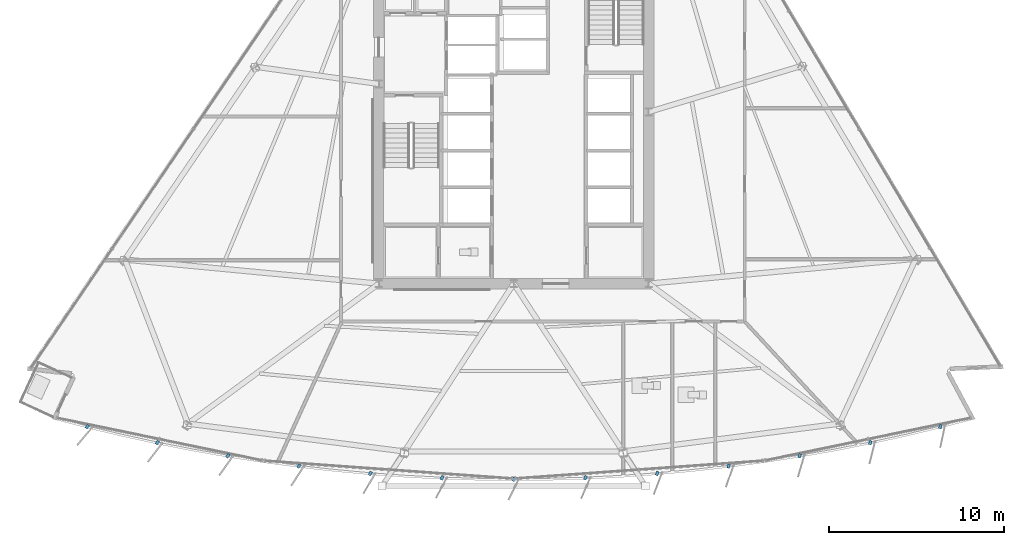
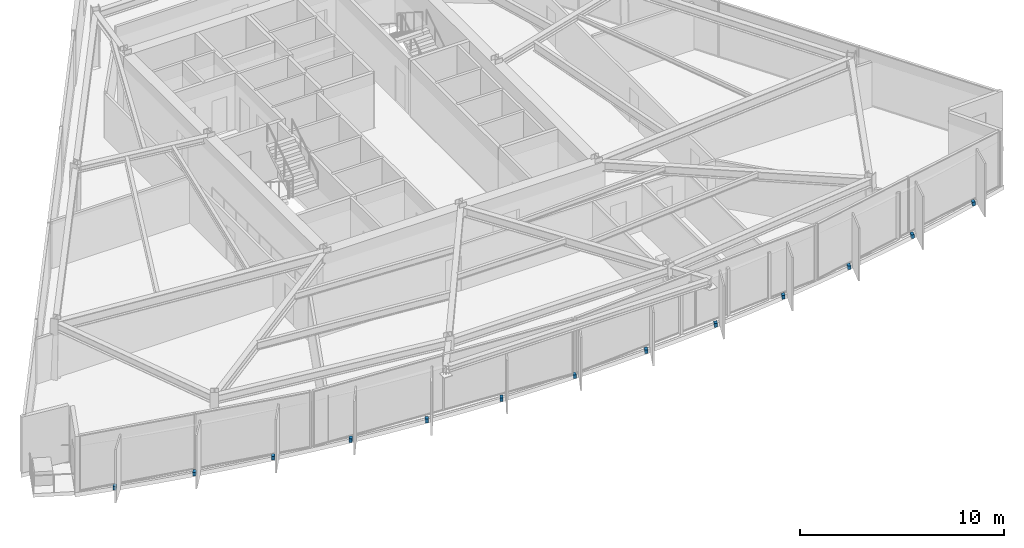
# One storey, part 10 of 15: 13 discrete accessories.
"""IFC4 building model written with IfcOpenShell, lengths in metres."""

from ifc_helpers import new_model, si_unit, direction, frame, origin, origin_2d, place, context, subcontext, project, spatial, rectangle, extrude, material, type_object, element, save


model = new_model("IFC4")

# Units and contexts
model_context = context("Model", 3, precision=1e-05, world=origin(), true_north=direction((0.0, 1.0)))
body_context = subcontext(model_context, "Body", "Model", "MODEL_VIEW")
ifc_project = project(units=[si_unit("LENGTHUNIT", "METRE"), si_unit("AREAUNIT", "SQUARE_METRE"), si_unit("VOLUMEUNIT", "CUBIC_METRE"), si_unit("PLANEANGLEUNIT", "RADIAN"), si_unit("MASSUNIT", "GRAM", prefix="KILO")], contexts=[model_context])

# Site, building, storey
site_placement = place(None, origin())
site = spatial("IfcSite", under=ifc_project, at=site_placement, CompositionType="ELEMENT")
building_placement = place(site_placement, origin())
building = spatial("IfcBuilding", under=site, at=building_placement, Name="Savorim Split Tower", CompositionType="ELEMENT")
storey_placement = place(building_placement, frame((0.0, 0.0, 111.300048828125)))
storey = spatial("IfcBuildingStorey", under=building, at=storey_placement, Name="L29", CompositionType="ELEMENT", Elevation=111.300048828125)

# Discrete accessories
ifc_material = material(Name="Steel S355", Category="steel")
discrete_accessory_type = type_object("IfcDiscreteAccessoryType", Name="ACC-BRK-FIN", PredefinedType="BRACKET", material=ifc_material)
for number, where, z_axis, x_axis, name in (
    (1, (-24.35107421875, -17.566162109375, -0.18994140625), (0.0, 0.0, 1.0), (-0.643719022682, -0.765261928909, 0.0), "L29 Fin Slab-Edge Cleat Bracket 01"),
    (2, (-20.355224609375, -18.481201171875, -0.18994140625), (0.0, 0.0, 1.0), (-0.611868076908, -0.790959832394, 0.0), "L29 Fin Slab-Edge Cleat Bracket 02"),
    (3, (-16.3251953125, -19.23193359375, -0.18994140625), (0.0, 0.0, 1.0), (-0.578993757737, -0.815331974414, 0.0), "L29 Fin Slab-Edge Cleat Bracket 03"),
    (4, (-12.267822265625, -19.817138671875, -0.18994140625), (0.0, 0.0, 1.0), (-0.545148321708, -0.838339613366, 0.0), "L29 Fin Slab-Edge Cleat Bracket 04"),
    (5, (-8.18994140625, -20.23583984375, -0.18994140625), (0.0, 0.0, 1.0), (-0.510391336723, -0.859942255851, 0.0), "L29 Fin Slab-Edge Cleat Bracket 05"),
    (6, (-4.098388671875, -20.4873046875, -0.18994140625), (0.0, 0.0, 1.0), (-0.474778051978, -0.880105562623, 0.0), "L29 Fin Slab-Edge Cleat Bracket 06"),
    (7, (0.0, -20.5712890625, -0.18994140625), (0.0, 0.0, 1.0), (-0.438371146789, -0.898794046299, 0.0), "L29 Fin Slab-Edge Cleat Bracket 07"),
    (8, (4.098388671875, -20.4873046875, -0.18994140625), (0.0, 0.0, 1.0), (-0.401230091723, -0.915977299662, 0.0), "L29 Fin Slab-Edge Cleat Bracket 08"),
    (9, (8.18994140625, -20.23583984375, -0.18994140625), (0.0, 0.0, 1.0), (-0.363415461732, -0.931627179817, 0.0), "L29 Fin Slab-Edge Cleat Bracket 09"),
    (10, (12.267822265625, -19.817138671875, -0.18994140625), (0.0, 0.0, 1.0), (-0.324993810493, -0.945716143005, 0.0), "L29 Fin Slab-Edge Cleat Bracket 10"),
    (11, (16.3251953125, -19.23193359375, -0.18994140625), (0.0, 0.0, 1.0), (-0.286026212504, -0.958221793616, 0.0), "L29 Fin Slab-Edge Cleat Bracket 11"),
    (12, (20.355224609375, -18.481201171875, -0.18994140625), (0.0, 0.0, 1.0), (-0.246581250663, -0.969122121727, 0.0), "L29 Fin Slab-Edge Cleat Bracket 12"),
    (13, (24.35107421875, -17.566162109375, -0.18994140625), (0.0, 0.0, 1.0), (-0.206721626106, -0.978399800337, 0.0), "L29 Fin Slab-Edge Cleat Bracket 13"),
):
    element("IfcDiscreteAccessory", number, at=place(storey_placement, frame(where, z_axis=z_axis, x_axis=x_axis)), inside=storey, type_object=discrete_accessory_type, Name=name, PredefinedType="BRACKET", context=body_context, shape_type="SweptSolid", body=[
        extrude(rectangle(XDim=0.239990234375, YDim=0.159912109375, at=origin_2d()), origin(), (0.0, 0.0, 1.0), 0.219970703125),
    ])

save(model, "model.ifc")
